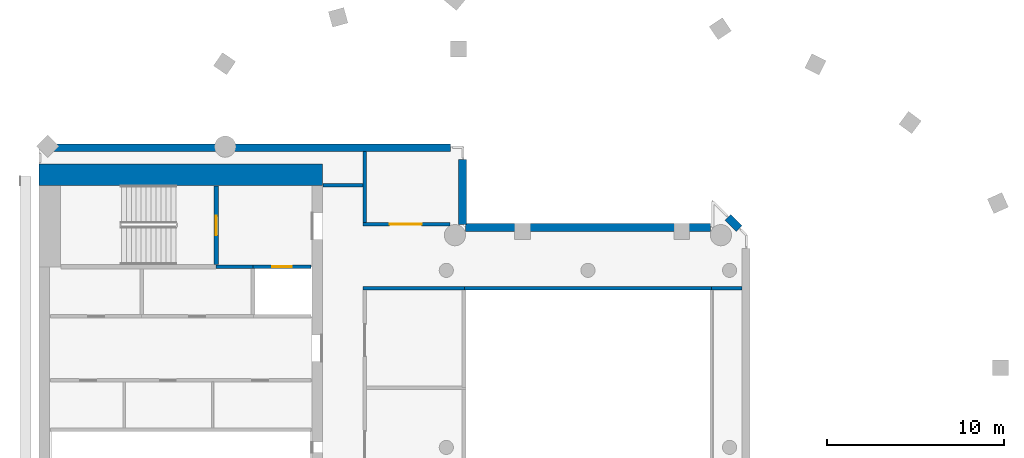
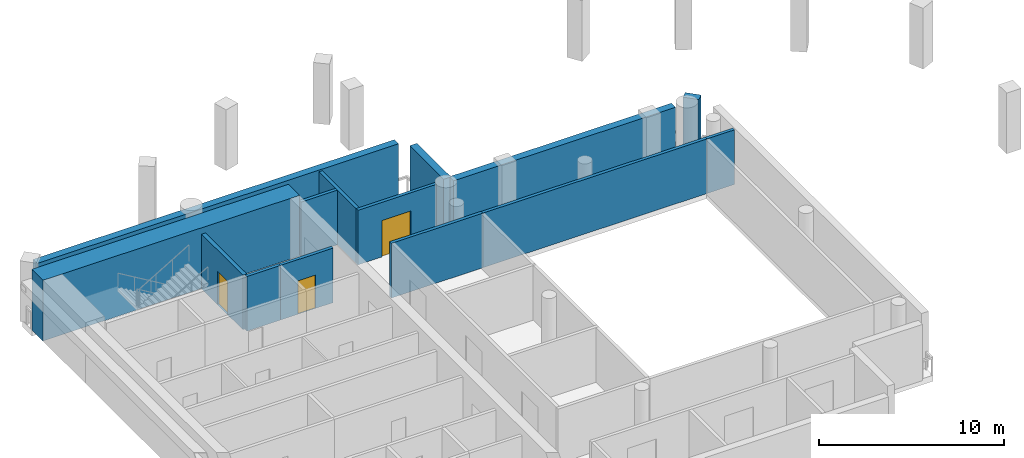
# One storey, part 3 of 9: 14 walls, 3 doors, 3 openings.
"""IFC4 building model written with IfcOpenShell, lengths in metres."""

from ifc_helpers import new_model, si_unit, direction, frame, frame_2d, origin, place, context, subcontext, project, spatial, rectangle, extrude, material, layer, layer_set, type_object, element, fill, save


model = new_model("IFC4")

# Units and contexts
model_context = context("Model", 3, precision=1e-05, world=origin(), true_north=direction((0.0, 1.0)))
body_context = subcontext(model_context, "Body", "Model", "MODEL_VIEW")
ifc_project = project(units=[si_unit("LENGTHUNIT", "METRE"), si_unit("AREAUNIT", "SQUARE_METRE"), si_unit("VOLUMEUNIT", "CUBIC_METRE"), si_unit("PLANEANGLEUNIT", "RADIAN"), si_unit("MASSUNIT", "GRAM", prefix="KILO")], contexts=[model_context])

# Site, building, storey
site_placement = place(None, origin())
site = spatial("IfcSite", under=ifc_project, at=site_placement, CompositionType="ELEMENT")
building_placement = place(site_placement, origin())
building = spatial("IfcBuilding", under=site, at=building_placement, Name="Cypress Arch Tower", CompositionType="ELEMENT")
storey_placement = place(building_placement, frame((0.0, 0.0, 335.0)))
storey = spatial("IfcBuildingStorey", under=building, at=storey_placement, Name="L76", CompositionType="ELEMENT", Elevation=335.0)

# Walls
ifc_material_1 = material(Name="Brick (red buff blend)", Category="masonry")
ifc_layer_1 = layer(ifc_material_1, 0.449951171875)
ifc_layer_set_1 = layer_set([ifc_layer_1], Name="Brick belt wall BW450-B")
wall_type_1 = type_object("IfcWallType", Name="Brick belt wall BW450-B", PredefinedType="SOLIDWALL", material=ifc_layer_set_1)
wall_1_placement = place(storey_placement, frame((9.541015625, 12.35302734375, 0.0), z_axis=(0.0, 0.0, 1.0), x_axis=(-0.707106781187, 0.707106781187, 0.0)))
element("IfcWall", 1, at=wall_1_placement, inside=storey, type_object=wall_type_1, Name="Brick wall L76 Kh04.0", PredefinedType="SOLIDWALL", context=body_context, shape_type="SweptSolid", body=[
    extrude(rectangle(XDim=0.8935546875, YDim=0.449951171875, at=frame_2d((0.44677734375, 0.0))), origin(), (0.0, 0.0, 1.0), 3.699951171875),
])
wall_2_placement = place(storey_placement, frame((7.912109375, 12.425048828125, 0.0), z_axis=(0.0, 0.0, 1.0), x_axis=(-1.0, 0.0, 0.0)))
element("IfcWall", 2, at=wall_2_placement, inside=storey, type_object=wall_type_1, Name="Brick wall L76 Kh06.0", PredefinedType="SOLIDWALL", context=body_context, shape_type="SweptSolid", body=[
    extrude(rectangle(XDim=13.82421875, YDim=0.449951171875, at=frame_2d((6.912109375, 0.0))), origin(), (0.0, 0.0, 1.0), 3.699951171875),
])
wall_3_placement = place(storey_placement, frame((-6.074951171875, 12.587890625, 0.0), z_axis=(0.0, 0.0, 1.0), x_axis=(0.0, 1.0, 0.0)))
element("IfcWall", 3, at=wall_3_placement, inside=storey, type_object=wall_type_1, Name="Brick wall L76 Kh07.0", PredefinedType="SOLIDWALL", context=body_context, shape_type="SweptSolid", body=[
    extrude(rectangle(XDim=3.662109375, YDim=0.449951171875, at=frame_2d((1.8310546875, 0.0))), origin(), (0.0, 0.0, 1.0), 3.699951171875),
])
wall_4_placement = place(storey_placement, frame((-6.75, 16.925048828125, 0.0), z_axis=(0.0, 0.0, 1.0), x_axis=(-1.0, 0.0, 0.0)))
element("IfcWall", 4, at=wall_4_placement, inside=storey, type_object=wall_type_1, Name="Brick wall L76 Kh08.0", PredefinedType="SOLIDWALL", context=body_context, shape_type="SweptSolid", body=[
    extrude(rectangle(XDim=22.5, YDim=0.449951171875, at=frame_2d((11.25, 0.0))), origin(), (0.0, 0.0, 1.0), 3.699951171875),
])
ifc_material_2 = material(Name="Concrete C50/60", Category="concrete")
ifc_layer_2 = layer(ifc_material_2, 1.199951171875)
ifc_layer_set_2 = layer_set([ifc_layer_2], Name="Core wall CW1200 C50/60")
wall_type_2 = type_object("IfcWallType", Name="Core wall CW1200 C50/60", PredefinedType="SHEAR", material=ifc_layer_set_2)
wall_5_placement = place(storey_placement, frame((-30.0, 15.39990234375, 0.0), z_axis=(0.0, 0.0, 1.0), x_axis=(1.0, 0.0, 0.0)))
element("IfcWall", 5, at=wall_5_placement, inside=storey, type_object=wall_type_2, Name="Core wall", PredefinedType="SHEAR", context=body_context, shape_type="SweptSolid", body=[
    extrude(rectangle(XDim=16.0, YDim=1.199951171875, at=frame_2d((8.0, 0.0))), origin(), (0.0, 0.0, 1.0), 4.0),
])
ifc_material_3 = material(Name="Concrete blockwork, plastered, rated", Category="masonry")
ifc_layer_3 = layer(ifc_material_3, 0.199951171875)
ifc_layer_set_3 = layer_set([ifc_layer_3], Name="Corridor wall FW200")
wall_type_3 = type_object("IfcWallType", Name="Corridor wall FW200", PredefinedType="PARTITIONING", material=ifc_layer_set_3)
wall_6_placement = place(storey_placement, frame((-20.0, 10.199951171875, 0.0), z_axis=(0.0, 0.0, 1.0), x_axis=(1.0, 0.0, 0.0)))
element("IfcWall", 6, at=wall_6_placement, inside=storey, type_object=wall_type_3, Name="Corridor wall", PredefinedType="PARTITIONING", context=body_context, shape_type="SweptSolid", body=[
    extrude(rectangle(XDim=2.080078125, YDim=0.199951171875, at=frame_2d((1.0400390625, 0.0))), origin(), (0.0, 0.0, 1.0), 3.597900390625),
])
wall_7_placement = place(storey_placement, frame((-5.97998046875, 9.0, 0.0), z_axis=(0.0, 0.0, 1.0), x_axis=(1.0, 0.0, 0.0)))
element("IfcWall", 7, at=wall_7_placement, inside=storey, type_object=wall_type_3, Name="Corridor wall", PredefinedType="PARTITIONING", context=body_context, shape_type="SweptSolid", body=[
    extrude(rectangle(XDim=13.9599609375, YDim=0.199951171875, at=frame_2d((6.97998046875, 0.0))), origin(), (0.0, 0.0, 1.0), 3.597900390625),
])
ifc_material_4 = material(Name="Reinforced blockwork, plastered, rated", Category="masonry")
ifc_layer_4 = layer(ifc_material_4, 0.199951171875)
ifc_layer_set_4 = layer_set([ifc_layer_4], Name="Plant and riser wall PL200")
wall_type_4 = type_object("IfcWallType", Name="Plant and riser wall PL200", PredefinedType="PARTITIONING", material=ifc_layer_set_4)
wall_8_placement = place(storey_placement, frame((-13.969970703125, 14.800048828125, 0.0), z_axis=(0.0, 0.0, 1.0), x_axis=(1.0, 0.0, 0.0)))
element("IfcWall", 8, at=wall_8_placement, inside=storey, type_object=wall_type_4, Name="Plant and riser wall", PredefinedType="PARTITIONING", context=body_context, shape_type="SweptSolid", body=[
    extrude(rectangle(XDim=2.27001953125, YDim=0.199951171875, at=frame_2d((1.135009765625, 0.0))), origin(), (0.0, 0.0, 1.0), 3.597900390625),
])
wall_9_placement = place(storey_placement, frame((-11.60009765625, 12.700927734375, 0.0), z_axis=(0.0, 0.0, 1.0), x_axis=(0.0, 1.0, 0.0)))
element("IfcWall", 9, at=wall_9_placement, inside=storey, type_object=wall_type_4, Name="Plant and riser wall", PredefinedType="PARTITIONING", context=body_context, shape_type="SweptSolid", body=[
    extrude(rectangle(XDim=3.9990234375, YDim=0.199951171875, at=frame_2d((1.99951171875, 0.0))), origin(), (0.0, 0.0, 1.0), 3.597900390625),
])
wall_10_placement = place(storey_placement, frame((-11.698974609375, 9.0, 0.0), z_axis=(0.0, 0.0, 1.0), x_axis=(1.0, 0.0, 0.0)))
element("IfcWall", 10, at=wall_10_placement, inside=storey, type_object=wall_type_4, Name="Plant and riser wall", PredefinedType="PARTITIONING", context=body_context, shape_type="SweptSolid", body=[
    extrude(rectangle(XDim=5.718994140625, YDim=0.199951171875, at=frame_2d((2.859375, 0.0))), origin(), (0.0, 0.0, 1.0), 3.597900390625),
])

# Wall, opening, door
wall_11_placement = place(storey_placement, frame((-11.698974609375, 12.60009765625, 0.0), z_axis=(0.0, 0.0, 1.0), x_axis=(1.0, 0.0, 0.0)))
wall_11 = element("IfcWall", 11, at=wall_11_placement, inside=storey, type_object=wall_type_4, Name="Plant and riser wall", PredefinedType="PARTITIONING", context=body_context, shape_type="SweptSolid", body=[
    extrude(rectangle(XDim=4.89892578125, YDim=0.199951171875, at=frame_2d((2.449462890625, 0.0))), origin(), (0.0, 0.0, 1.0), 3.597900390625),
])
opening_1_placement = place(wall_11_placement, frame((1.5, 0.0, 0.0)))
opening_1 = element("IfcOpeningElement", 12, at=opening_1_placement, cuts=wall_11, Name="Opening D09", PredefinedType="OPENING", context=body_context, shape_type="SweptSolid", body=[
    extrude(rectangle(XDim=1.800048828125, YDim=2.39990234375, at=frame_2d((0.89990234375, 1.199951171875))), frame((0.0, 0.10986328125, 0.0), z_axis=(0.0, -1.0, 0.0), x_axis=(1.0, 0.0, 0.0)), (0.0, 0.0, 1.0), 0.219970703125),
])
ifc_material_5 = material(Name="Steel door, fire resisting", Category="steel")
door_type_1 = type_object("IfcDoorType", Name="Plant room door D09 1800x2400", OperationType="DOUBLE_DOOR_SINGLE_SWING", PredefinedType="DOOR", material=ifc_material_5)
door_1_placement = place(opening_1_placement, origin())
door_1 = element("IfcDoor", 13, at=door_1_placement, inside=storey, type_object=door_type_1, Name="Plant room door", OperationType="DOUBLE_DOOR_SINGLE_SWING", OverallHeight=2.39990234375, OverallWidth=1.800048828125, PredefinedType="DOOR", context=body_context, shape_type="SweptSolid", body=[
    extrude(rectangle(XDim=1.800048828125, YDim=2.39990234375, at=frame_2d((0.89990234375, 1.199951171875))), frame((0.0, 0.02490234375, 0.0), z_axis=(0.0, -1.0, 0.0), x_axis=(1.0, 0.0, 0.0)), (0.0, 0.0, 1.0), 0.050048828125),
])
fill(opening_1, door_1)

# Wall
wall_12_placement = place(storey_placement, frame((7.97998046875, 9.0, 0.0), z_axis=(0.0, 0.0, 1.0), x_axis=(1.0, 0.0, 0.0)))
element("IfcWall", 14, at=wall_12_placement, inside=storey, type_object=wall_type_4, Name="Plant and riser wall", PredefinedType="PARTITIONING", context=body_context, shape_type="SweptSolid", body=[
    extrude(rectangle(XDim=1.719970703125, YDim=0.199951171875, at=frame_2d((0.85986328125, 0.0))), origin(), (0.0, 0.0, 1.0), 3.597900390625),
])

# Wall, opening, door
ifc_material_6 = material(Name="Concrete C50/60", Category="concrete")
ifc_layer_5 = layer(ifc_material_6, 0.199951171875)
ifc_layer_set_5 = layer_set([ifc_layer_5], Name="Shaft wall SH200")
wall_type_5 = type_object("IfcWallType", Name="Shaft wall SH200", PredefinedType="SHEAR", material=ifc_layer_set_5)
wall_13_placement = place(storey_placement, frame((-17.919921875, 10.199951171875, 0.0), z_axis=(0.0, 0.0, 1.0), x_axis=(1.0, 0.0, 0.0)))
wall_13 = element("IfcWall", 15, at=wall_13_placement, inside=storey, type_object=wall_type_5, Name="Shaft wall", PredefinedType="SHEAR", context=body_context, shape_type="SweptSolid", body=[
    extrude(rectangle(XDim=3.2900390625, YDim=0.199951171875, at=frame_2d((1.64501953125, 0.0))), origin(), (0.0, 0.0, 1.0), 3.597900390625),
])
opening_2_placement = place(wall_13_placement, frame((1.10009765625, 0.0, 0.0)))
opening_2 = element("IfcOpeningElement", 16, at=opening_2_placement, cuts=wall_13, Name="Opening LD-FL2", PredefinedType="OPENING", context=body_context, shape_type="SweptSolid", body=[
    extrude(rectangle(XDim=1.10009765625, YDim=2.199951171875, at=frame_2d((0.550048828125, 1.10009765625))), frame((0.0, 0.10986328125, 0.0), z_axis=(0.0, -1.0, 0.0), x_axis=(1.0, 0.0, 0.0)), (0.0, 0.0, 1.0), 0.219970703125),
])
ifc_material_7 = material(Name="Stainless steel centre-opening landing door, rated", Category="steel")
door_type_2 = type_object("IfcDoorType", Name="Lift landing door LD 1100x2200", OperationType="DOUBLE_DOOR_SLIDING", PredefinedType="DOOR", material=ifc_material_7)
door_2_placement = place(opening_2_placement, origin())
door_2 = element("IfcDoor", 17, at=door_2_placement, inside=storey, type_object=door_type_2, Name="Lift landing doors FL2", OperationType="DOUBLE_DOOR_SLIDING", OverallHeight=2.199951171875, OverallWidth=1.10009765625, PredefinedType="DOOR", context=body_context, shape_type="SweptSolid", body=[
    extrude(rectangle(XDim=1.10009765625, YDim=2.199951171875, at=frame_2d((0.550048828125, 1.10009765625))), frame((0.0, 0.02490234375, 0.0), z_axis=(0.0, -1.0, 0.0), x_axis=(1.0, 0.0, 0.0)), (0.0, 0.0, 1.0), 0.050048828125),
])
fill(opening_2, door_2)

ifc_material_8 = material(Name="Concrete C50/60", Category="concrete")
ifc_layer_6 = layer(ifc_material_8, 0.25)
ifc_layer_set_6 = layer_set([ifc_layer_6], Name="Stair enclosure wall SW250")
wall_type_6 = type_object("IfcWallType", Name="Stair enclosure wall SW250", PredefinedType="SHEAR", material=ifc_layer_set_6)
wall_14_placement = place(storey_placement, frame((-20.0, 10.324951171875, 0.0), z_axis=(0.0, 0.0, 1.0), x_axis=(0.0, 1.0, 0.0)))
wall_14 = element("IfcWall", 18, at=wall_14_placement, inside=storey, type_object=wall_type_6, Name="Stair enclosure wall", PredefinedType="SHEAR", context=body_context, shape_type="SweptSolid", body=[
    extrude(rectangle(XDim=4.445068359375, YDim=0.25, at=frame_2d((2.22265625, 0.0))), origin(), (0.0, 0.0, 1.0), 3.597900390625),
])
opening_3_placement = place(wall_14_placement, frame((1.64990234375, 0.0, 0.0)))
opening_3 = element("IfcOpeningElement", 19, at=opening_3_placement, cuts=wall_14, Name="Opening D06", PredefinedType="OPENING", context=body_context, shape_type="SweptSolid", body=[
    extrude(rectangle(XDim=1.10009765625, YDim=2.199951171875, at=frame_2d((0.550048828125, 1.10009765625))), frame((0.0, 0.135009765625, 0.0), z_axis=(0.0, -1.0, 0.0), x_axis=(1.0, 0.0, 0.0)), (0.0, 0.0, 1.0), 0.27001953125),
])
ifc_material_9 = material(Name="Steel door, fire resisting, panic bar", Category="steel")
door_type_3 = type_object("IfcDoorType", Name="Stair door D06 1100x2200", OperationType="SINGLE_SWING_LEFT", PredefinedType="DOOR", material=ifc_material_9)
door_3_placement = place(opening_3_placement, origin())
door_3 = element("IfcDoor", 20, at=door_3_placement, inside=storey, type_object=door_type_3, Name="Stair door", OperationType="SINGLE_SWING_LEFT", OverallHeight=2.199951171875, OverallWidth=1.10009765625, PredefinedType="DOOR", context=body_context, shape_type="SweptSolid", body=[
    extrude(rectangle(XDim=1.10009765625, YDim=2.199951171875, at=frame_2d((0.550048828125, 1.10009765625))), frame((0.0, 0.02490234375, 0.0), z_axis=(0.0, -1.0, 0.0), x_axis=(1.0, 0.0, 0.0)), (0.0, 0.0, 1.0), 0.050048828125),
])
fill(opening_3, door_3)

save(model, "model.ifc")
